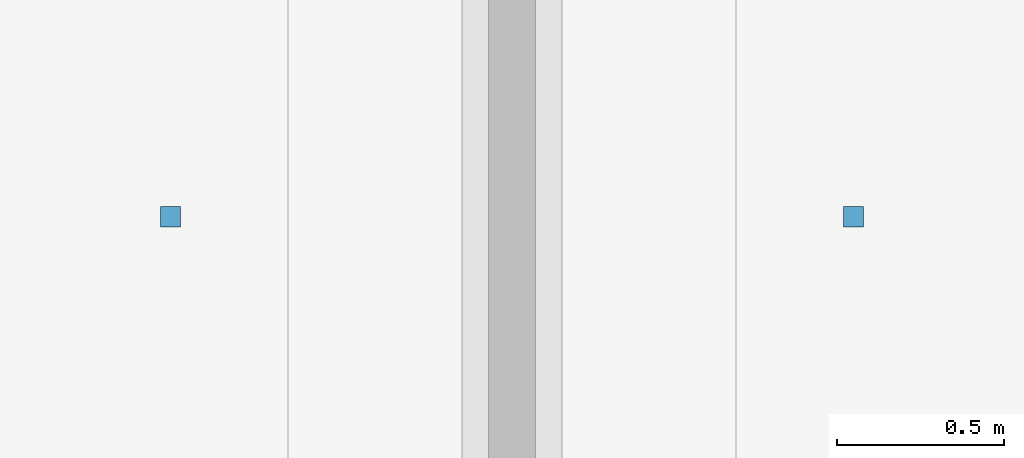
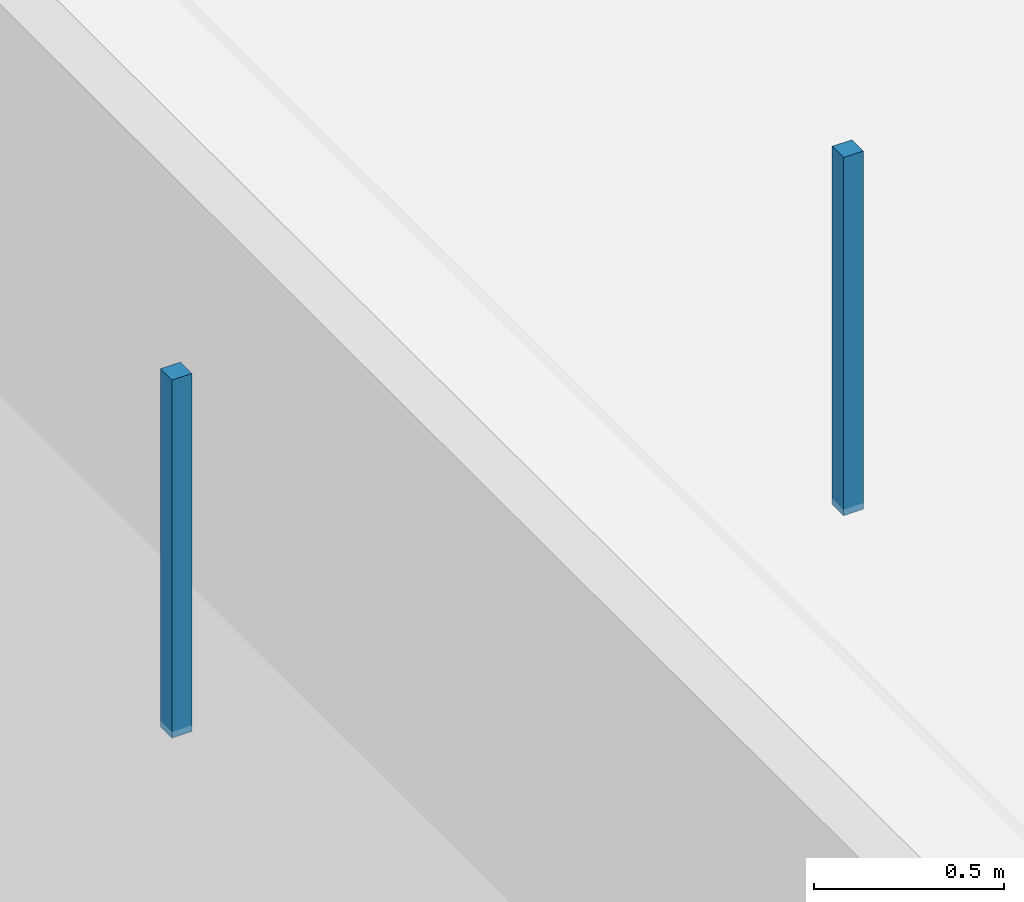
# One storey, part 109 of 141: 2 discrete accessories.
"""IFC4 building model written with IfcOpenShell, lengths in metres."""

from ifc_helpers import new_model, si_unit, direction, frame, origin, origin_2d, place, context, subcontext, project, spatial, rectangle, extrude, material, type_object, element, save


model = new_model("IFC4")

# Units and contexts
model_context = context("Model", 3, precision=1e-05, world=origin(), true_north=direction((0.0, 1.0)))
body_context = subcontext(model_context, "Body", "Model", "MODEL_VIEW")
ifc_project = project(units=[si_unit("LENGTHUNIT", "METRE"), si_unit("AREAUNIT", "SQUARE_METRE"), si_unit("VOLUMEUNIT", "CUBIC_METRE"), si_unit("PLANEANGLEUNIT", "RADIAN"), si_unit("MASSUNIT", "GRAM", prefix="KILO")], contexts=[model_context])

# Site, building, storey
site_placement = place(None, origin())
site = spatial("IfcSite", under=ifc_project, at=site_placement, CompositionType="ELEMENT")
building_placement = place(site_placement, origin())
building = spatial("IfcBuilding", under=site, at=building_placement, Name="Khelvaren Railside Concert Hall", CompositionType="ELEMENT")
storey_placement = place(building_placement, frame((0.0, 0.0, 10.199951171875)))
storey = spatial("IfcBuildingStorey", under=building, at=storey_placement, Name="L02", CompositionType="ELEMENT", Elevation=10.199951171875)

# Discrete accessories
ifc_material = material(Name="Galvanised steel acoustic ceiling hanger rod", Category="steel")
discrete_accessory_type = type_object("IfcDiscreteAccessoryType", Name="BRK62", PredefinedType="BRACKET", material=ifc_material)
for number, where, z_axis, x_axis, name in (
    (1, (22.97998046875, 95.02490234375, 3.43017578125), (0.0, 0.0, 1.0), (1.0, 0.0, 0.0), "Acoustic Ceiling Suspension Bracket 125-2"),
    (2, (25.02001953125, 95.02490234375, 3.43017578125), (0.0, 0.0, 1.0), (1.0, 0.0, 0.0), "Acoustic Ceiling Suspension Bracket 126-1"),
):
    element("IfcDiscreteAccessory", number, at=place(storey_placement, frame(where, z_axis=z_axis, x_axis=x_axis)), inside=storey, type_object=discrete_accessory_type, Name=name, PredefinedType="BRACKET", context=body_context, shape_type="SweptSolid", body=[
        extrude(rectangle(XDim=0.06005859375, YDim=0.06005859375, at=origin_2d()), origin(), (0.0, 0.0, 1.0), 1.14990234375),
    ])

save(model, "model.ifc")
